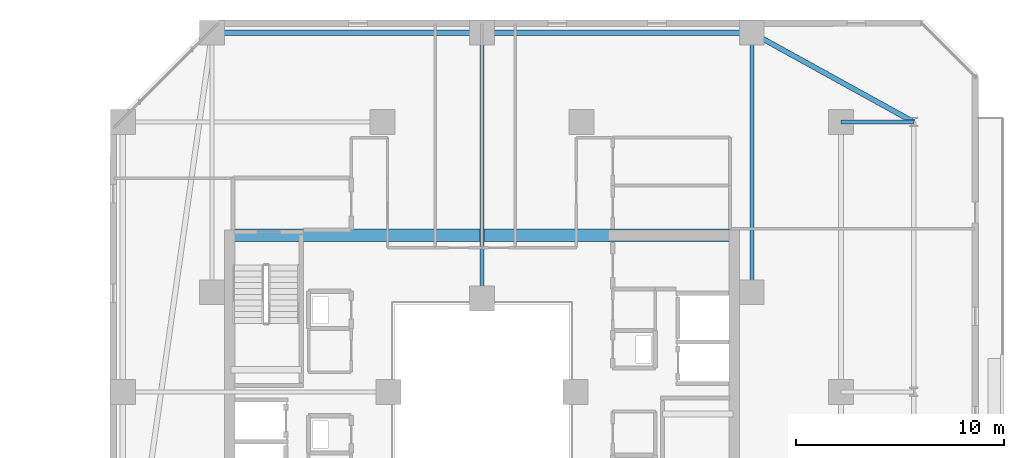
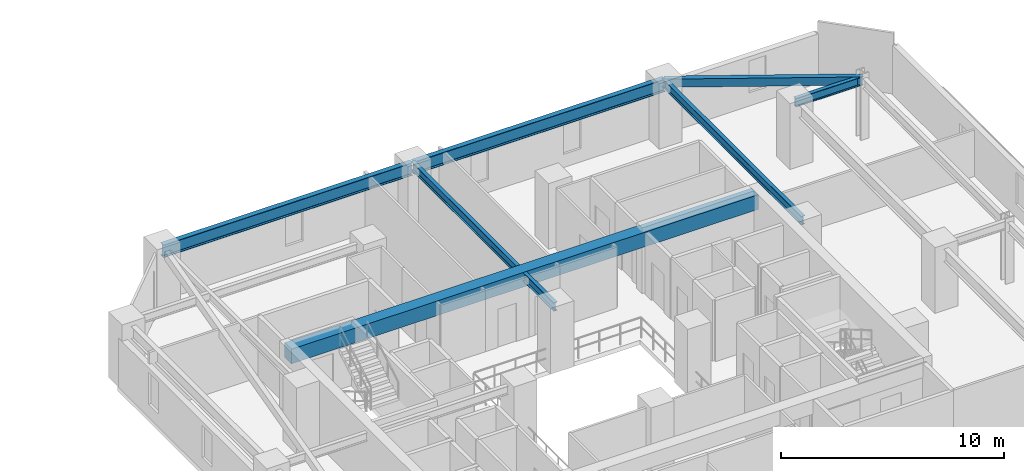
# One storey, part 15 of 33: 7 beams.
"""IFC4 building model written with IfcOpenShell, lengths in metres."""

from ifc_helpers import new_model, si_unit, direction, frame, origin, origin_2d, place, context, subcontext, project, spatial, rectangle, hollow_rectangle, i_section, extrude, material, material_profile, profile_set, type_object, element, save


model = new_model("IFC4")

# Units and contexts
model_context = context("Model", 3, precision=1e-05, world=origin(), true_north=direction((0.0, 1.0)))
body_context = subcontext(model_context, "Body", "Model", "MODEL_VIEW")
ifc_project = project(units=[si_unit("LENGTHUNIT", "METRE"), si_unit("AREAUNIT", "SQUARE_METRE"), si_unit("VOLUMEUNIT", "CUBIC_METRE"), si_unit("PLANEANGLEUNIT", "RADIAN"), si_unit("MASSUNIT", "GRAM", prefix="KILO")], contexts=[model_context])

# Site, building, storey
site_placement = place(None, origin())
site = spatial("IfcSite", under=ifc_project, at=site_placement, CompositionType="ELEMENT")
building_placement = place(site_placement, origin())
building = spatial("IfcBuilding", under=site, at=building_placement, Name="Thornwick Lancets Civic Towers", CompositionType="ELEMENT")
storey_placement = place(building_placement, frame((0.0, 0.0, 134.10009765625)))
storey = spatial("IfcBuildingStorey", under=building, at=storey_placement, Name="L35", CompositionType="ELEMENT", Elevation=134.10009765625)

# Beams
ifc_material_1 = material(Name="Concrete C60/75", Category="concrete")
ifc_material_profile_1 = material_profile(ifc_material_1, rectangle(XDim=0.60009765625, YDim=0.800048828125, at=origin_2d()), Name="RC 600x800")
ifc_profile_set_1 = profile_set([ifc_material_profile_1], Name="Concrete C60/75")
beam_type_1 = type_object("IfcBeamType", Name="BM_COUP_RC800", PredefinedType="BEAM", material=ifc_profile_set_1)
beam_1_placement = place(storey_placement, frame((76.39990234375, 34.550048828125, 2.9599609375), z_axis=(1.0, 0.0, 0.0), x_axis=(0.0, 1.0, 0.0)))
element("IfcBeam", 1, at=beam_1_placement, inside=storey, type_object=beam_type_1, Name="CB-L35-B1", PredefinedType="BEAM", context=body_context, shape_type="SweptSolid", body=[
    extrude(rectangle(XDim=0.60009765625, YDim=0.800048828125, at=origin_2d()), origin(), (0.0, 0.0, 1.0), 24.2001953125),
])
ifc_material_2 = material(Name="Steel S355JR", Category="steel")
ifc_material_profile_2 = material_profile(ifc_material_2, i_section(OverallWidth=0.255859375, OverallDepth=0.69287109375, WebThickness=0.014404296875, FlangeThickness=0.023681640625, FilletRadius=0.01513671875, at=origin_2d()), Name="UKB 686x254x170")
ifc_profile_set_2 = profile_set([ifc_material_profile_2], Name="Steel S355JR")
beam_type_2 = type_object("IfcBeamType", Name="BM_GIRD_686_170", PredefinedType="BEAM", material=ifc_profile_set_2)
beam_2_placement = place(storey_placement, frame((101.5, 44.300048828125, 3.013427734375), z_axis=(-1.0, 0.0, 0.0), x_axis=(0.0, -1.0, 0.0)))
element("IfcBeam", 2, at=beam_2_placement, inside=storey, type_object=beam_type_2, Name="BM-SPINE-L35-B-3-4", PredefinedType="BEAM", context=body_context, shape_type="SweptSolid", body=[
    extrude(i_section(OverallWidth=0.255859375, OverallDepth=0.69287109375, WebThickness=0.014404296875, FlangeThickness=0.023681640625, FilletRadius=0.01513671875, at=origin_2d()), origin(), (0.0, 0.0, 1.0), 13.0),
])
beam_3_placement = place(storey_placement, frame((88.419921875, 44.300048828125, 3.013427734375), z_axis=(-1.0, 0.0, 0.0), x_axis=(0.0, -1.0, 0.0)))
element("IfcBeam", 3, at=beam_3_placement, inside=storey, type_object=beam_type_2, Name="BM-SPINE-L35-B-4-5", PredefinedType="BEAM", context=body_context, shape_type="SweptSolid", body=[
    extrude(i_section(OverallWidth=0.255859375, OverallDepth=0.69287109375, WebThickness=0.014404296875, FlangeThickness=0.023681640625, FilletRadius=0.01513671875, at=origin_2d()), origin(), (0.0, 0.0, 1.0), 12.919921875),
])
ifc_material_profile_3 = material_profile(ifc_material_2, i_section(OverallWidth=0.19287109375, OverallDepth=0.46728515625, WebThickness=0.011474609375, FlangeThickness=0.01953125, FilletRadius=0.01025390625, at=origin_2d()), Name="UKB 457x191x98")
ifc_profile_set_3 = profile_set([ifc_material_profile_3], Name="Steel S355JR")
beam_type_3 = type_object("IfcBeamType", Name="BM_JOIST_457_98", PredefinedType="JOIST", material=ifc_profile_set_3)
beam_4_placement = place(storey_placement, frame((105.800048828125, 40.0, 3.126220703125), z_axis=(1.0, 0.0, 0.0), x_axis=(0.0, 1.0, 0.0)))
element("IfcBeam", 4, at=beam_4_placement, inside=storey, type_object=beam_type_3, Name="BM-RAD-L35-B03", PredefinedType="JOIST", context=body_context, shape_type="SweptSolid", body=[
    extrude(i_section(OverallWidth=0.19287109375, OverallDepth=0.46728515625, WebThickness=0.011474609375, FlangeThickness=0.01953125, FilletRadius=0.01025390625, at=origin_2d()), origin(), (0.0, 0.0, 1.0), 3.5),
])
beam_5_placement = place(storey_placement, frame((101.5, 31.800048828125, 3.126220703125), z_axis=(0.0, 1.0, 0.0), x_axis=(-1.0, 0.0, 0.0)))
element("IfcBeam", 5, at=beam_5_placement, inside=storey, type_object=beam_type_3, Name="BM-RADIN-L35-B04", PredefinedType="JOIST", context=body_context, shape_type="SweptSolid", body=[
    extrude(i_section(OverallWidth=0.19287109375, OverallDepth=0.46728515625, WebThickness=0.011474609375, FlangeThickness=0.01953125, FilletRadius=0.01025390625, at=origin_2d()), origin(), (0.0, 0.0, 1.0), 12.5),
])
beam_6_placement = place(storey_placement, frame((88.5, 31.5, 3.126220703125), z_axis=(0.0, 1.0, 0.0), x_axis=(-1.0, 0.0, 0.0)))
element("IfcBeam", 6, at=beam_6_placement, inside=storey, type_object=beam_type_3, Name="BM-RADIN-L35-B05", PredefinedType="JOIST", context=body_context, shape_type="SweptSolid", body=[
    extrude(i_section(OverallWidth=0.19287109375, OverallDepth=0.46728515625, WebThickness=0.011474609375, FlangeThickness=0.01953125, FilletRadius=0.01025390625, at=origin_2d()), origin(), (0.0, 0.0, 1.0), 12.800048828125),
])
ifc_material_profile_4 = material_profile(ifc_material_2, hollow_rectangle(XDim=0.25, YDim=0.449951171875, WallThickness=0.01611328125, at=origin_2d()), Name="RHS 450x250x16")
ifc_profile_set_4 = profile_set([ifc_material_profile_4], Name="Steel S355JR")
beam_type_4 = type_object("IfcBeamType", Name="BM_RING_RHS450", PredefinedType="BEAM", material=ifc_profile_set_4)
beam_7_placement = place(storey_placement, frame((109.300048828125, 40.0, 3.135009765625), z_axis=(-0.875740348708, 0.482782395749, 0.0), x_axis=(-0.482782395749, -0.875740348708, 0.0)))
element("IfcBeam", 7, at=beam_7_placement, inside=storey, type_object=beam_type_4, Name="BM-CHAMF-L35-B-C0", PredefinedType="BEAM", context=body_context, shape_type="SweptSolid", body=[
    extrude(hollow_rectangle(XDim=0.25, YDim=0.449951171875, WallThickness=0.01611328125, at=origin_2d()), origin(), (0.0, 0.0, 1.0), 8.90673828125),
])

save(model, "model.ifc")
